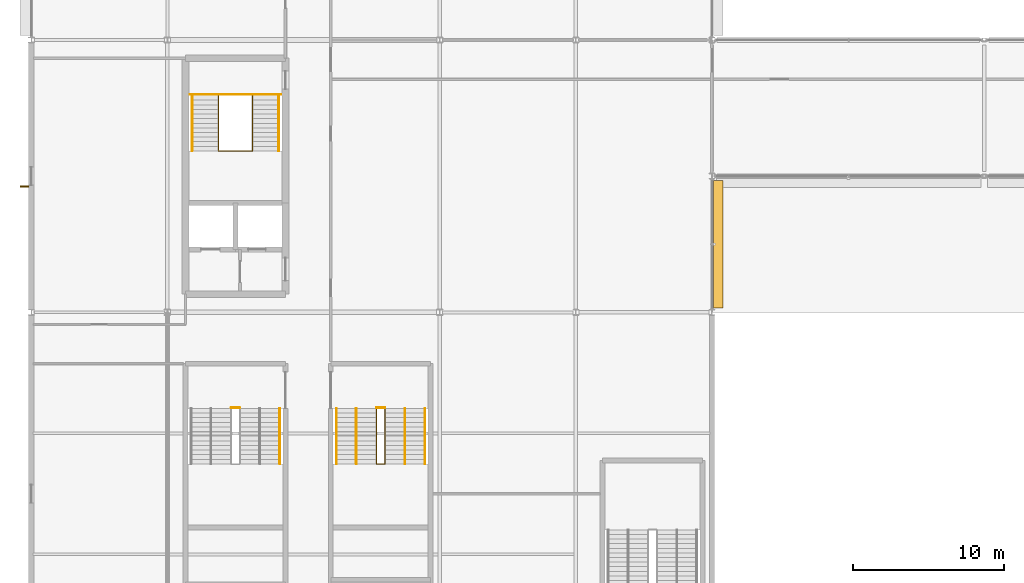
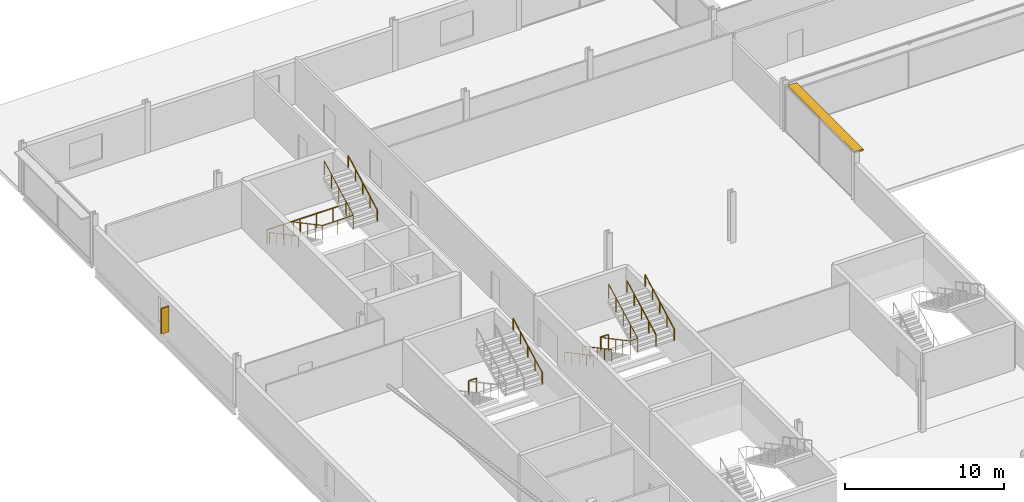
# One storey, part 99 of 105: 12 railings, 2 shading devices.
"""IFC4 building model written with IfcOpenShell, lengths in metres."""

import ifcopenshell
import ifcopenshell.guid

model = None  # the IFC model being written
_history = None  # IfcOwnerHistory: only IFC2X3 demands one
_inside = {}  # id of a spatial element -> (the spatial element, [elements in it])
_under = {}  # id of a project, library or spatial element -> (it, [spatial elements below it])
_declared = {}  # id of a project -> (the project, [libraries it declares])
_typed = {}  # id of a type object -> (the type object, [elements of that type])
_made_of = {}  # id of a material, layer set ... -> (it, [elements and type objects made of it])


def new_model(schema):
    """Start an empty IFC model of exactly this schema.

    Asked for "IFC4X3", IfcOpenShell would pick the latest addendum, in which some entities
    have other attributes; the version numbers below select the first issue.
    IFC2X3 requires an IfcOwnerHistory on every rooted entity: one is made here for all.
    """
    global model, _history
    if schema == "IFC4X3":
        model = ifcopenshell.file(schema_version=(4, 3, 0, 0))
    else:
        model = ifcopenshell.file(schema=schema)
    _inside.clear()
    _under.clear()
    _declared.clear()
    _typed.clear()
    _made_of.clear()
    _history = None
    if model.schema == "IFC2X3":
        org = make("IfcOrganization", Name="unknown")
        user = make(
            "IfcPersonAndOrganization",
            ThePerson=make("IfcPerson", FamilyName="unknown"),
            TheOrganization=org,
        )
        app = make(
            "IfcApplication",
            ApplicationDeveloper=org,
            Version="unknown",
            ApplicationFullName="unknown",
            ApplicationIdentifier="unknown",
        )
        _history = make(
            "IfcOwnerHistory",
            OwningUser=user,
            OwningApplication=app,
            ChangeAction="ADDED",
            CreationDate=0,
        )
    return model


def make(cls, **values):
    """One entity of the class cls with the attributes given. An attribute that is None is left unset."""
    return model.create_entity(
        cls, **{name: value for name, value in values.items() if value is not None}
    )


def rooted(cls, **values):
    """An entity with a GlobalId (a new one), such as an element, a storey or a relation."""
    return make(cls, GlobalId=ifcopenshell.guid.new(), OwnerHistory=_history, **values)


def si_unit(unit_type, name, prefix=None):
    """IfcSIUnit, for example si_unit("LENGTHUNIT", "METRE", prefix="MILLI")."""
    return make("IfcSIUnit", UnitType=unit_type, Prefix=prefix, Name=name)


def assignment(units):
    """IfcUnitAssignment: the units of a project."""
    return None if units is None else make("IfcUnitAssignment", Units=units)


def point(xyz):
    """IfcCartesianPoint."""
    return None if xyz is None else make("IfcCartesianPoint", Coordinates=xyz)


def direction(xyz):
    """IfcDirection."""
    return None if xyz is None else make("IfcDirection", DirectionRatios=xyz)


def frame(location, z_axis=None, x_axis=None):
    """IfcAxis2Placement3D, a coordinate frame: its origin and axes. An axis left out is left unset."""
    return make(
        "IfcAxis2Placement3D",
        Location=point(location),
        Axis=direction(z_axis),
        RefDirection=direction(x_axis),
    )


def frame_2d(location, x_axis=None):
    """IfcAxis2Placement2D, a coordinate frame in the plane: its origin and x axis."""
    return make(
        "IfcAxis2Placement2D", Location=point(location), RefDirection=direction(x_axis)
    )


def origin():
    """The frame at (0, 0, 0) with its axes left unset."""
    return frame((0.0, 0.0, 0.0))


def origin_2d():
    """The frame at (0, 0) in the plane with its x axis left unset."""
    return frame_2d((0.0, 0.0))


def place(relative_to, where):
    """IfcLocalPlacement: puts the frame where relative to a parent placement (None: the world)."""
    return make(
        "IfcLocalPlacement", PlacementRelTo=relative_to, RelativePlacement=where
    )


def context(
    kind, dimensions, precision=None, world=None, true_north=None, identifier=None
):
    """IfcGeometricRepresentationContext, for example the 3D "Model" context."""
    return make(
        "IfcGeometricRepresentationContext",
        ContextIdentifier=identifier,
        ContextType=kind,
        CoordinateSpaceDimension=dimensions,
        Precision=precision,
        WorldCoordinateSystem=world,
        TrueNorth=true_north,
    )


def subcontext(parent, identifier, kind, view, scale=None):
    """IfcGeometricRepresentationSubContext, for example "Body" below "Model"."""
    return make(
        "IfcGeometricRepresentationSubContext",
        ContextIdentifier=identifier,
        ContextType=kind,
        ParentContext=parent,
        TargetScale=scale,
        TargetView=view,
    )


def project(units=None, contexts=None):
    """IfcProject with its units and contexts."""
    return rooted(
        "IfcProject",
        Name="project",
        RepresentationContexts=contexts,
        UnitsInContext=assignment(units),
    )


def spatial(cls, under=None, at=None, **own):
    """A site, building, storey or space (cls), placed at a placement, below another one or the project."""
    s = rooted(cls, ObjectPlacement=at, **own)
    if under is not None:
        _under.setdefault(under.id(), (under, []))[1].append(s)
    return s


def profile(cls, at=None, kind="AREA", **sizes):
    """A parametric profile (cls). Its sizes go by their IFC names, for example OverallWidth=200.0."""
    return make(cls, ProfileType=kind, Position=at, **sizes)


def rectangle(**sizes):
    """IfcRectangleProfileDef."""
    return profile("IfcRectangleProfileDef", **sizes)


def circle(**sizes):
    """IfcCircleProfileDef."""
    return profile("IfcCircleProfileDef", **sizes)


def extrude(swept, where, along, depth):
    """IfcExtrudedAreaSolid: the profile swept, set in the frame where, extruded along a direction by depth."""
    return make(
        "IfcExtrudedAreaSolid",
        SweptArea=swept,
        Position=where,
        ExtrudedDirection=direction(along),
        Depth=depth,
    )


def shape(context_of_items, identifier, shape_type, items):
    """IfcShapeRepresentation: the items that make up one representation, for example the "Body"."""
    return make(
        "IfcShapeRepresentation",
        ContextOfItems=context_of_items,
        RepresentationIdentifier=identifier,
        RepresentationType=shape_type,
        Items=items,
    )


def material(Name=None, Category=None):
    """IfcMaterial."""
    return make("IfcMaterial", Name=Name, Category=Category)


def made_of(thing, what):
    """Note that an element or type object is made of a material, layer set ...; save() writes the relation."""
    if what is not None:
        _made_of.setdefault(what.id(), (what, []))[1].append(thing)
    return thing


def type_object(cls, material=None, **own):
    """A type object (cls), such as IfcWallType, which elements share."""
    return made_of(rooted(cls, **own), material)


def element(
    cls,
    number,
    at=None,
    inside=None,
    cuts=None,
    type_object=None,
    material=None,
    context=None,
    identifier="Body",
    shape_type=None,
    held_by="IfcProductDefinitionShape",
    body=None,
    shapes=None,
    **own,
):
    """One element of the class cls, such as IfcWall. Its Tag is "e" and its number.

    at: its placement. inside: the storey or other place that contains it. cuts: it is an
    opening in that element (IfcRelVoidsElement). A single representation is given by context,
    identifier, shape_type and body (its items); several are given by shapes. held_by: the class
    of the entity that holds the representations. save() writes the other relations.
    """
    e = rooted(cls, Tag="e%d" % number, ObjectPlacement=at, **own)
    if body is not None:
        shapes = [shape(context, identifier, shape_type, body)]
    if shapes is not None:
        e.Representation = make(held_by, Representations=shapes)
    if inside is not None:
        _inside.setdefault(inside.id(), (inside, []))[1].append(e)
    if cuts is not None:
        rooted(
            "IfcRelVoidsElement", RelatingBuildingElement=cuts, RelatedOpeningElement=e
        )
    if type_object is not None:
        _typed.setdefault(type_object.id(), (type_object, []))[1].append(e)
    return made_of(e, material)


def aggregate(whole, parts):
    """IfcRelAggregates: a whole, such as a stair, and the parts it consists of."""
    return rooted("IfcRelAggregates", RelatingObject=whole, RelatedObjects=parts)


def save(model, path):
    """Write the relations noted so far, then the file.

    IfcRelAggregates (storeys below a building ...), IfcRelContainedInSpatialStructure (elements
    in a storey), IfcRelDefinesByType, IfcRelAssociatesMaterial and IfcRelDeclares: one each for
    every whole, place, type object, material and project.
    """
    for whole, parts in _under.values():
        aggregate(whole, parts)
    for where, things in _inside.values():
        rooted(
            "IfcRelContainedInSpatialStructure",
            RelatedElements=things,
            RelatingStructure=where,
        )
    for kind, things in _typed.values():
        rooted("IfcRelDefinesByType", RelatedObjects=things, RelatingType=kind)
    for what, things in _made_of.values():
        rooted("IfcRelAssociatesMaterial", RelatedObjects=things, RelatingMaterial=what)
    for by, libraries in _declared.values():
        rooted("IfcRelDeclares", RelatingContext=by, RelatedDefinitions=libraries)
    model.write(path)


model = new_model("IFC4")

# Units and contexts
model_context = context("Model", 3, precision=1e-05, world=origin(), true_north=direction((0.0, 1.0)))
body_context = subcontext(model_context, "Body", "Model", "MODEL_VIEW")
ifc_project = project(units=[si_unit("LENGTHUNIT", "METRE"), si_unit("AREAUNIT", "SQUARE_METRE"), si_unit("VOLUMEUNIT", "CUBIC_METRE"), si_unit("PLANEANGLEUNIT", "RADIAN"), si_unit("MASSUNIT", "GRAM", prefix="KILO")], contexts=[model_context])

# Site, building, storey
site_placement = place(None, origin())
site = spatial("IfcSite", under=ifc_project, at=site_placement, CompositionType="ELEMENT")
building_placement = place(site_placement, origin())
building = spatial("IfcBuilding", under=site, at=building_placement, Name="Kisiwana Market Hall", CompositionType="ELEMENT")
storey_placement = place(building_placement, frame((0.0, 0.0, 21.60009765625)))
storey = spatial("IfcBuildingStorey", under=building, at=storey_placement, Name="L04", CompositionType="ELEMENT", Elevation=21.60009765625)

# Railings
ifc_material_1 = material(Name="Steel S275", Category="steel")
railing_type_1 = type_object("IfcRailingType", Name="RL-GUARD-1100", PredefinedType="GUARDRAIL", material=ifc_material_1)
railing_1_placement = place(storey_placement, frame((12.375, 98.325439453125, 0.0)))
element("IfcRailing", 1, at=railing_1_placement, inside=storey, type_object=railing_type_1, Name="Stair ST-W1-L04 inner-well guardrail (RL-755)", PredefinedType="GUARDRAIL", context=body_context, shape_type="SweptSolid", body=[
    extrude(circle(Radius=0.02392578125, at=origin_2d()), frame((0.0, 0.0, 1.076171875), z_axis=(0.0, -0.88255331184, 0.47021234752), x_axis=(1.0, 0.0, 0.0)), (0.0, 0.0, 1.0), 4.14697265625),
    extrude(circle(Radius=0.02392578125, at=origin_2d()), frame((0.0, -3.659912109375, 3.02587890625), z_axis=(1.0, 0.0, 0.0), x_axis=(0.0, 1.0, 0.0)), (0.0, 0.0, 1.0), 2.25),
    extrude(circle(Radius=0.02392578125, at=origin_2d()), frame((2.25, -3.659912109375, 3.02587890625), z_axis=(0.0, 0.88255331184, 0.47021234752), x_axis=(-1.0, 0.0, 0.0)), (0.0, 0.0, 1.0), 4.14697265625),
    extrude(circle(Radius=0.02099609375, at=origin_2d()), origin(), (0.0, 0.0, 1.0), 1.052001953125),
    extrude(circle(Radius=0.02099609375, at=origin_2d()), frame((0.0, -0.9150390625, 0.487548828125)), (0.0, 0.0, 1.0), 1.052001953125),
    extrude(circle(Radius=0.02099609375, at=origin_2d()), frame((0.0, -1.830078125, 0.97509765625)), (0.0, 0.0, 1.0), 1.052001953125),
    extrude(circle(Radius=0.02099609375, at=origin_2d()), frame((0.0, -2.744873046875, 1.46240234375)), (0.0, 0.0, 1.0), 1.052001953125),
    extrude(circle(Radius=0.02099609375, at=origin_2d()), frame((0.0, -3.659912109375, 1.949951171875)), (0.0, 0.0, 1.0), 1.052001953125),
    extrude(circle(Radius=0.02099609375, at=origin_2d()), frame((1.125, -3.659912109375, 1.949951171875)), (0.0, 0.0, 1.0), 1.052001953125),
    extrude(circle(Radius=0.02099609375, at=origin_2d()), frame((2.25, -3.659912109375, 1.949951171875)), (0.0, 0.0, 1.0), 1.052001953125),
    extrude(circle(Radius=0.02099609375, at=origin_2d()), frame((2.25, -2.744873046875, 2.4375)), (0.0, 0.0, 1.0), 1.052001953125),
    extrude(circle(Radius=0.02099609375, at=origin_2d()), frame((2.25, -1.830078125, 2.9248046875)), (0.0, 0.0, 1.0), 1.052001953125),
    extrude(circle(Radius=0.02099609375, at=origin_2d()), frame((2.25, -0.9150390625, 3.412353515625)), (0.0, 0.0, 1.0), 1.052001953125),
    extrude(circle(Radius=0.02099609375, at=origin_2d()), frame((2.25, 0.0, 3.89990234375)), (0.0, 0.0, 1.0), 1.052001953125),
])
railing_2_placement = place(storey_placement, frame((10.5048828125, 98.405517578125, 0.0)))
element("IfcRailing", 2, at=railing_2_placement, inside=storey, type_object=railing_type_1, Name="Stair ST-W1-L04 landing edge guardrail (RL-758)", PredefinedType="GUARDRAIL", context=body_context, shape_type="SweptSolid", body=[
    extrude(circle(Radius=0.02392578125, at=origin_2d()), frame((0.0, 0.0, 1.076171875), z_axis=(1.0, 0.0, 0.0), x_axis=(0.0, 1.0, 0.0)), (0.0, 0.0, 1.0), 5.990234375),
    extrude(circle(Radius=0.02099609375, at=origin_2d()), origin(), (0.0, 0.0, 1.0), 1.052001953125),
    extrude(circle(Radius=0.02099609375, at=origin_2d()), frame((1.197998046875, 0.0, 0.0)), (0.0, 0.0, 1.0), 1.052001953125),
    extrude(circle(Radius=0.02099609375, at=origin_2d()), frame((2.39599609375, 0.0, 0.0)), (0.0, 0.0, 1.0), 1.052001953125),
    extrude(circle(Radius=0.02099609375, at=origin_2d()), frame((3.59423828125, 0.0, 0.0)), (0.0, 0.0, 1.0), 1.052001953125),
    extrude(circle(Radius=0.02099609375, at=origin_2d()), frame((4.792236328125, 0.0, 0.0)), (0.0, 0.0, 1.0), 1.052001953125),
    extrude(circle(Radius=0.02099609375, at=origin_2d()), frame((5.990234375, 0.0, 0.0)), (0.0, 0.0, 1.0), 1.052001953125),
])
railing_3_placement = place(storey_placement, frame((13.219970703125, 77.68994140625, 0.0)))
element("IfcRailing", 3, at=railing_3_placement, inside=storey, type_object=railing_type_1, Name="Stair ST-W4-L04 landing edge guardrail (RL-778)", PredefinedType="GUARDRAIL", context=body_context, shape_type="SweptSolid", body=[
    extrude(circle(Radius=0.02392578125, at=origin_2d()), frame((0.0, 0.0, 1.076171875), z_axis=(1.0, 0.0, 0.0), x_axis=(0.0, 1.0, 0.0)), (0.0, 0.0, 1.0), 0.56005859375),
    extrude(circle(Radius=0.02099609375, at=origin_2d()), origin(), (0.0, 0.0, 1.0), 1.052001953125),
    extrude(circle(Radius=0.02099609375, at=origin_2d()), frame((0.56005859375, 0.0, 0.0)), (0.0, 0.0, 1.0), 1.052001953125),
])
railing_4_placement = place(storey_placement, frame((22.820068359375, 77.639892578125, 0.0)))
element("IfcRailing", 4, at=railing_4_placement, inside=storey, type_object=railing_type_1, Name="Stair ST-W8-L04 inner-well guardrail (RL-803)", PredefinedType="GUARDRAIL", context=body_context, shape_type="SweptSolid", body=[
    extrude(circle(Radius=0.02392578125, at=origin_2d()), frame((0.0, 0.0, 1.076171875), z_axis=(0.0, -0.88255331184, 0.47021234752), x_axis=(1.0, 0.0, 0.0)), (0.0, 0.0, 1.0), 4.14697265625),
    extrude(circle(Radius=0.02392578125, at=origin_2d()), frame((0.0, -3.659912109375, 3.02587890625), z_axis=(1.0, 0.0, 0.0), x_axis=(0.0, 1.0, 0.0)), (0.0, 0.0, 1.0), 0.559814453125),
    extrude(circle(Radius=0.02392578125, at=origin_2d()), frame((0.559814453125, -3.659912109375, 3.02587890625), z_axis=(0.0, 0.88255331184, 0.47021234752), x_axis=(-1.0, 0.0, 0.0)), (0.0, 0.0, 1.0), 4.14697265625),
    extrude(circle(Radius=0.02099609375, at=origin_2d()), origin(), (0.0, 0.0, 1.0), 1.052001953125),
    extrude(circle(Radius=0.02099609375, at=origin_2d()), frame((0.0, -0.9150390625, 0.487548828125)), (0.0, 0.0, 1.0), 1.052001953125),
    extrude(circle(Radius=0.02099609375, at=origin_2d()), frame((0.0, -1.830078125, 0.97509765625)), (0.0, 0.0, 1.0), 1.052001953125),
    extrude(circle(Radius=0.02099609375, at=origin_2d()), frame((0.0, -2.744873046875, 1.46240234375)), (0.0, 0.0, 1.0), 1.052001953125),
    extrude(circle(Radius=0.02099609375, at=origin_2d()), frame((0.0, -3.659912109375, 1.949951171875)), (0.0, 0.0, 1.0), 1.052001953125),
    extrude(circle(Radius=0.02099609375, at=origin_2d()), frame((0.559814453125, -3.659912109375, 1.949951171875)), (0.0, 0.0, 1.0), 1.052001953125),
    extrude(circle(Radius=0.02099609375, at=origin_2d()), frame((0.559814453125, -2.744873046875, 2.4375)), (0.0, 0.0, 1.0), 1.052001953125),
    extrude(circle(Radius=0.02099609375, at=origin_2d()), frame((0.559814453125, -1.830078125, 2.9248046875)), (0.0, 0.0, 1.0), 1.052001953125),
    extrude(circle(Radius=0.02099609375, at=origin_2d()), frame((0.559814453125, -0.9150390625, 3.412353515625)), (0.0, 0.0, 1.0), 1.052001953125),
    extrude(circle(Radius=0.02099609375, at=origin_2d()), frame((0.559814453125, 0.0, 3.89990234375)), (0.0, 0.0, 1.0), 1.052001953125),
])
railing_5_placement = place(storey_placement, frame((22.820068359375, 77.68994140625, 0.0)))
element("IfcRailing", 5, at=railing_5_placement, inside=storey, type_object=railing_type_1, Name="Stair ST-W8-L04 landing edge guardrail (RL-808)", PredefinedType="GUARDRAIL", context=body_context, shape_type="SweptSolid", body=[
    extrude(circle(Radius=0.02392578125, at=origin_2d()), frame((0.0, 0.0, 1.076171875), z_axis=(1.0, 0.0, 0.0), x_axis=(0.0, 1.0, 0.0)), (0.0, 0.0, 1.0), 0.559814453125),
    extrude(circle(Radius=0.02099609375, at=origin_2d()), origin(), (0.0, 0.0, 1.0), 1.052001953125),
    extrude(circle(Radius=0.02099609375, at=origin_2d()), frame((0.559814453125, 0.0, 0.0)), (0.0, 0.0, 1.0), 1.052001953125),
])
ifc_material_2 = material(Name="Steel S275", Category="steel")
railing_type_2 = type_object("IfcRailingType", Name="RL-HAND-900", PredefinedType="HANDRAIL", material=ifc_material_2)
railing_6_placement = place(storey_placement, frame((10.635009765625, 98.325439453125, 0.0)))
element("IfcRailing", 6, at=railing_6_placement, inside=storey, type_object=railing_type_2, Name="Stair ST-W1-L04 flight 1 handrail (RL-756)", PredefinedType="HANDRAIL", context=body_context, shape_type="SweptSolid", body=[
    extrude(circle(Radius=0.02392578125, at=origin_2d()), frame((0.0, 0.0, 0.8759765625), z_axis=(0.0, -0.88255331184, 0.47021234752), x_axis=(1.0, 0.0, 0.0)), (0.0, 0.0, 1.0), 4.14697265625),
    extrude(circle(Radius=0.02099609375, at=origin_2d()), origin(), (0.0, 0.0, 1.0), 0.851806640625),
    extrude(circle(Radius=0.02099609375, at=origin_2d()), frame((0.0, -0.9150390625, 0.487548828125)), (0.0, 0.0, 1.0), 0.851806640625),
    extrude(circle(Radius=0.02099609375, at=origin_2d()), frame((0.0, -1.830078125, 0.97509765625)), (0.0, 0.0, 1.0), 0.851806640625),
    extrude(circle(Radius=0.02099609375, at=origin_2d()), frame((0.0, -2.744873046875, 1.46240234375)), (0.0, 0.0, 1.0), 0.851806640625),
    extrude(circle(Radius=0.02099609375, at=origin_2d()), frame((0.0, -3.659912109375, 1.949951171875)), (0.0, 0.0, 1.0), 0.851806640625),
])
for number, where, name in (
    (7, (16.364990234375, 94.66552734375, 1.949951171875), "Stair ST-W1-L04 flight 2 handrail (RL-757)"),
    (8, (16.429931640625, 73.97998046875, 1.949951171875), "Stair ST-W4-L04 flight 2 handrail (RL-775)"),
):
    element("IfcRailing", number, at=place(storey_placement, frame(where)), inside=storey, type_object=railing_type_2, Name=name, PredefinedType="HANDRAIL", context=body_context, shape_type="SweptSolid", body=[
        extrude(circle(Radius=0.02392578125, at=origin_2d()), frame((0.0, 0.0, 0.8759765625), z_axis=(0.0, 0.88255331184, 0.47021234752), x_axis=(-1.0, 0.0, 0.0)), (0.0, 0.0, 1.0), 4.14697265625),
        extrude(circle(Radius=0.02099609375, at=origin_2d()), origin(), (0.0, 0.0, 1.0), 0.851806640625),
        extrude(circle(Radius=0.02099609375, at=origin_2d()), frame((0.0, 0.9150390625, 0.487548828125)), (0.0, 0.0, 1.0), 0.851806640625),
        extrude(circle(Radius=0.02099609375, at=origin_2d()), frame((0.0, 1.830078125, 0.97509765625)), (0.0, 0.0, 1.0), 0.851806640625),
        extrude(circle(Radius=0.02099609375, at=origin_2d()), frame((0.0, 2.744873046875, 1.46240234375)), (0.0, 0.0, 1.0), 0.851806640625),
        extrude(circle(Radius=0.02099609375, at=origin_2d()), frame((0.0, 3.659912109375, 1.949951171875)), (0.0, 0.0, 1.0), 0.851806640625),
    ])
railing_7_placement = place(storey_placement, frame((20.169921875, 77.639892578125, 0.0)))
element("IfcRailing", 9, at=railing_7_placement, inside=storey, type_object=railing_type_2, Name="Stair ST-W8-L04 flight 1 handrail (RL-804)", PredefinedType="HANDRAIL", context=body_context, shape_type="SweptSolid", body=[
    extrude(circle(Radius=0.02392578125, at=origin_2d()), frame((0.0, 0.0, 0.8759765625), z_axis=(0.0, -0.88255331184, 0.47021234752), x_axis=(1.0, 0.0, 0.0)), (0.0, 0.0, 1.0), 4.14697265625),
    extrude(circle(Radius=0.02099609375, at=origin_2d()), origin(), (0.0, 0.0, 1.0), 0.851806640625),
    extrude(circle(Radius=0.02099609375, at=origin_2d()), frame((0.0, -0.9150390625, 0.487548828125)), (0.0, 0.0, 1.0), 0.851806640625),
    extrude(circle(Radius=0.02099609375, at=origin_2d()), frame((0.0, -1.830078125, 0.97509765625)), (0.0, 0.0, 1.0), 0.851806640625),
    extrude(circle(Radius=0.02099609375, at=origin_2d()), frame((0.0, -2.744873046875, 1.46240234375)), (0.0, 0.0, 1.0), 0.851806640625),
    extrude(circle(Radius=0.02099609375, at=origin_2d()), frame((0.0, -3.659912109375, 1.949951171875)), (0.0, 0.0, 1.0), 0.851806640625),
])
railing_8_placement = place(storey_placement, frame((26.030029296875, 73.97998046875, 1.949951171875)))
element("IfcRailing", 10, at=railing_8_placement, inside=storey, type_object=railing_type_2, Name="Stair ST-W8-L04 flight 2 handrail (RL-805)", PredefinedType="HANDRAIL", context=body_context, shape_type="SweptSolid", body=[
    extrude(circle(Radius=0.02392578125, at=origin_2d()), frame((0.0, 0.0, 0.8759765625), z_axis=(0.0, 0.88255331184, 0.47021234752), x_axis=(-1.0, 0.0, 0.0)), (0.0, 0.0, 1.0), 4.14697265625),
    extrude(circle(Radius=0.02099609375, at=origin_2d()), origin(), (0.0, 0.0, 1.0), 0.851806640625),
    extrude(circle(Radius=0.02099609375, at=origin_2d()), frame((0.0, 0.9150390625, 0.487548828125)), (0.0, 0.0, 1.0), 0.851806640625),
    extrude(circle(Radius=0.02099609375, at=origin_2d()), frame((0.0, 1.830078125, 0.97509765625)), (0.0, 0.0, 1.0), 0.851806640625),
    extrude(circle(Radius=0.02099609375, at=origin_2d()), frame((0.0, 2.744873046875, 1.46240234375)), (0.0, 0.0, 1.0), 0.851806640625),
    extrude(circle(Radius=0.02099609375, at=origin_2d()), frame((0.0, 3.659912109375, 1.949951171875)), (0.0, 0.0, 1.0), 0.851806640625),
])
railing_9_placement = place(storey_placement, frame((21.489990234375, 77.639892578125, 0.0)))
element("IfcRailing", 11, at=railing_9_placement, inside=storey, type_object=railing_type_2, Name="Stair ST-W8-L04 flight 1 intermediate handrail (RL-806)", PredefinedType="HANDRAIL", context=body_context, shape_type="SweptSolid", body=[
    extrude(circle(Radius=0.02392578125, at=origin_2d()), frame((0.0, 0.0, 0.8759765625), z_axis=(0.0, -0.88255331184, 0.47021234752), x_axis=(1.0, 0.0, 0.0)), (0.0, 0.0, 1.0), 4.14697265625),
    extrude(circle(Radius=0.02099609375, at=origin_2d()), origin(), (0.0, 0.0, 1.0), 0.851806640625),
    extrude(circle(Radius=0.02099609375, at=origin_2d()), frame((0.0, -0.9150390625, 0.487548828125)), (0.0, 0.0, 1.0), 0.851806640625),
    extrude(circle(Radius=0.02099609375, at=origin_2d()), frame((0.0, -1.830078125, 0.97509765625)), (0.0, 0.0, 1.0), 0.851806640625),
    extrude(circle(Radius=0.02099609375, at=origin_2d()), frame((0.0, -2.744873046875, 1.46240234375)), (0.0, 0.0, 1.0), 0.851806640625),
    extrude(circle(Radius=0.02099609375, at=origin_2d()), frame((0.0, -3.659912109375, 1.949951171875)), (0.0, 0.0, 1.0), 0.851806640625),
])
railing_10_placement = place(storey_placement, frame((24.7099609375, 73.97998046875, 1.949951171875)))
element("IfcRailing", 12, at=railing_10_placement, inside=storey, type_object=railing_type_2, Name="Stair ST-W8-L04 flight 2 intermediate handrail (RL-807)", PredefinedType="HANDRAIL", context=body_context, shape_type="SweptSolid", body=[
    extrude(circle(Radius=0.02392578125, at=origin_2d()), frame((0.0, 0.0, 0.8759765625), z_axis=(0.0, 0.88255331184, 0.47021234752), x_axis=(-1.0, 0.0, 0.0)), (0.0, 0.0, 1.0), 4.14697265625),
    extrude(circle(Radius=0.02099609375, at=origin_2d()), origin(), (0.0, 0.0, 1.0), 0.851806640625),
    extrude(circle(Radius=0.02099609375, at=origin_2d()), frame((0.0, 0.9150390625, 0.487548828125)), (0.0, 0.0, 1.0), 0.851806640625),
    extrude(circle(Radius=0.02099609375, at=origin_2d()), frame((0.0, 1.830078125, 0.97509765625)), (0.0, 0.0, 1.0), 0.851806640625),
    extrude(circle(Radius=0.02099609375, at=origin_2d()), frame((0.0, 2.744873046875, 1.46240234375)), (0.0, 0.0, 1.0), 0.851806640625),
    extrude(circle(Radius=0.02099609375, at=origin_2d()), frame((0.0, 3.659912109375, 1.949951171875)), (0.0, 0.0, 1.0), 0.851806640625),
])

# Shading devices
ifc_material_3 = material(Name="Aluminium alloy 6063-T6", Category="aluminium")
shading_device_type_1 = type_object("IfcShadingDeviceType", Name="SHD-JALOUSIE-H", PredefinedType="JALOUSIE", material=ifc_material_3)
shading_device_1_placement = place(storey_placement, frame((45.419921875, 88.5, 3.40478515625), z_axis=(0.0, 0.0, 1.0), x_axis=(0.0, 1.0, 0.0)))
element("IfcShadingDevice", 13, at=shading_device_1_placement, inside=storey, type_object=shading_device_type_1, Name="Aluminium brise-soleil louvre SHD-091 SD-091", PredefinedType="JALOUSIE", context=body_context, shape_type="SweptSolid", body=[
    extrude(rectangle(XDim=8.431884765625, YDim=0.64990234375, at=origin_2d()), origin(), (0.0, 0.0, 1.0), 0.1201171875),
])
ifc_material_4 = material(Name="Aluminium alloy 6063-T6", Category="aluminium")
shading_device_type_2 = type_object("IfcShadingDeviceType", Name="SHD-SHUTTER-V", PredefinedType="SHUTTER", material=ifc_material_4)
shading_device_2_placement = place(storey_placement, frame((-0.445068359375, 92.320068359375, 0.69970703125), z_axis=(0.0, 0.0, 1.0), x_axis=(0.0, 1.0, 0.0)))
element("IfcShadingDevice", 14, at=shading_device_2_placement, inside=storey, type_object=shading_device_type_2, Name="Vertical solar fin SHD-087 SD-087", PredefinedType="SHUTTER", context=body_context, shape_type="SweptSolid", body=[
    extrude(rectangle(XDim=0.1201171875, YDim=0.550048828125, at=origin_2d()), origin(), (0.0, 0.0, 1.0), 1.949951171875),
])

save(model, "model.ifc")
